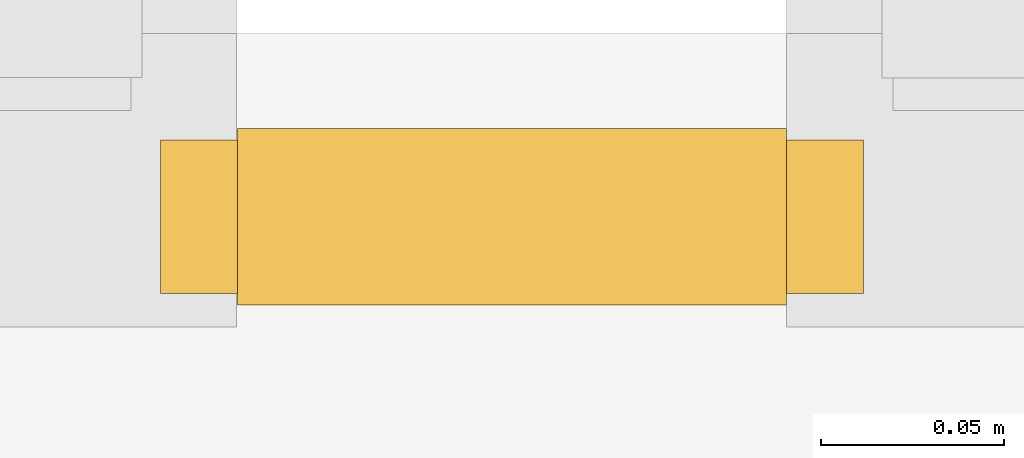
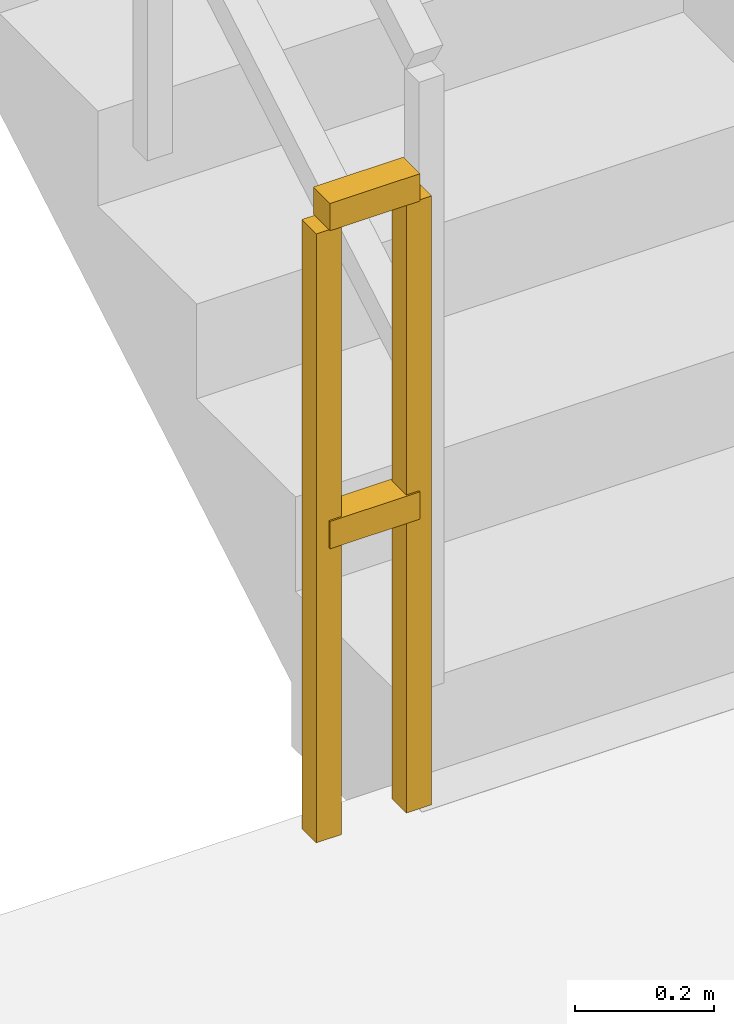
# One storey, part 8 of 12: 1 railing.
"""IFC4 building model written with IfcOpenShell, lengths in metres."""

from ifc_helpers import new_model, si_unit, direction, frame, origin, origin_2d, place, context, subcontext, project, spatial, rectangle, extrude, material, type_object, element, save


model = new_model("IFC4")

# Units and contexts
model_context = context("Model", 3, precision=1e-05, world=origin(), true_north=direction((0.0, 1.0)))
body_context = subcontext(model_context, "Body", "Model", "MODEL_VIEW")
ifc_project = project(units=[si_unit("LENGTHUNIT", "METRE"), si_unit("AREAUNIT", "SQUARE_METRE"), si_unit("VOLUMEUNIT", "CUBIC_METRE"), si_unit("PLANEANGLEUNIT", "RADIAN"), si_unit("MASSUNIT", "GRAM", prefix="KILO")], contexts=[model_context])

# Site, building, storey
site_placement = place(None, origin())
site = spatial("IfcSite", under=ifc_project, at=site_placement, CompositionType="ELEMENT")
building_placement = place(site_placement, origin())
building = spatial("IfcBuilding", under=site, at=building_placement, Name="Apsidion Concourse Tower", CompositionType="ELEMENT")
storey_placement = place(building_placement, frame((0.0, 0.0, 71.0)))
storey = spatial("IfcBuildingStorey", under=building, at=storey_placement, Name="L15", CompositionType="ELEMENT", Elevation=71.0)

# Railing
ifc_material = material(Name="Brushed stainless steel 316", Category="steel")
railing_type = type_object("IfcRailingType", Name="RL-GUARD-1100", PredefinedType="GUARDRAIL", material=ifc_material)
railing_placement = place(storey_placement, frame((-5.5, 2.949951171875, 0.0)))
element("IfcRailing", 1, at=railing_placement, inside=storey, type_object=railing_type, Name="L15 ST1 stair guard 4", PredefinedType="GUARDRAIL", context=body_context, shape_type="SweptSolid", body=[
    extrude(rectangle(XDim=0.048095703125, YDim=0.048095703125, at=origin_2d()), frame((0.0, 0.0, 1.09619140625), z_axis=(-1.0, 0.0, 0.0), x_axis=(0.0, -1.0, 0.0)), (0.0, 0.0, 1.0), 0.14990234375),
    extrude(rectangle(XDim=0.048095703125, YDim=0.048095703125, at=origin_2d()), frame((0.0, 0.0, 0.5361328125), z_axis=(-1.0, 0.0, 0.0), x_axis=(0.0, -1.0, 0.0)), (0.0, 0.0, 1.0), 0.14990234375),
    extrude(rectangle(XDim=0.0419921875, YDim=0.0419921875, at=origin_2d()), origin(), (0.0, 0.0, 1.0), 1.072021484375),
    extrude(rectangle(XDim=0.0419921875, YDim=0.0419921875, at=origin_2d()), frame((-0.14990234375, 0.0, 0.0)), (0.0, 0.0, 1.0), 1.072021484375),
])

save(model, "model.ifc")
